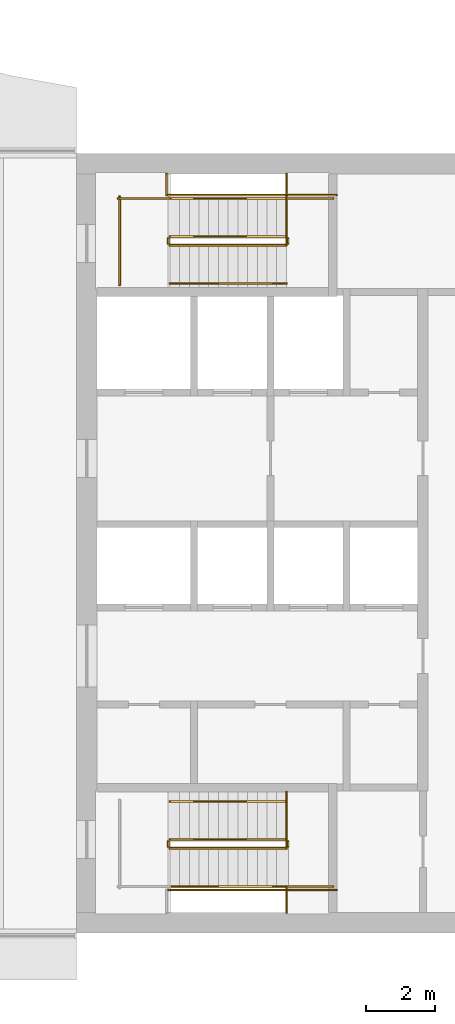
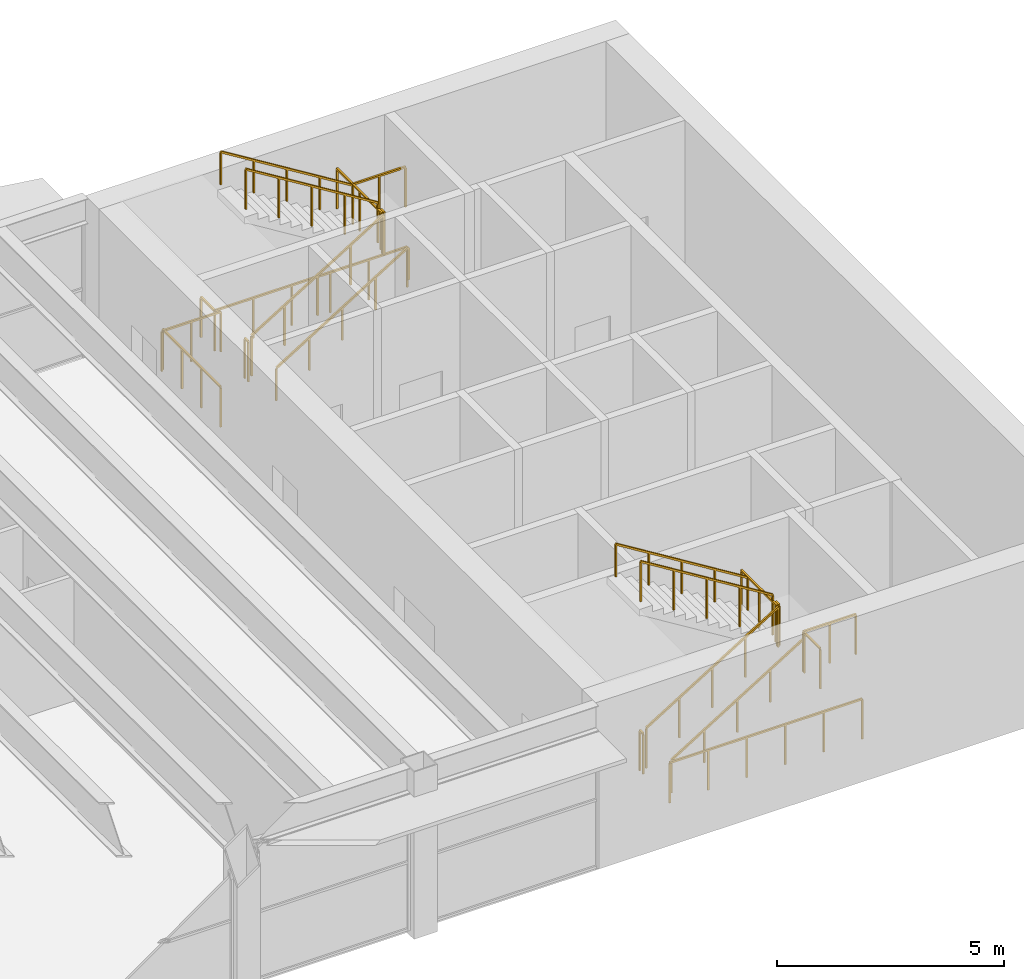
# One storey, part 15 of 15: 22 railings.
"""IFC4 building model written with IfcOpenShell, lengths in metres."""

import ifcopenshell
import ifcopenshell.guid

model = None  # the IFC model being written
_history = None  # IfcOwnerHistory: only IFC2X3 demands one
_inside = {}  # id of a spatial element -> (the spatial element, [elements in it])
_under = {}  # id of a project, library or spatial element -> (it, [spatial elements below it])
_declared = {}  # id of a project -> (the project, [libraries it declares])
_typed = {}  # id of a type object -> (the type object, [elements of that type])
_made_of = {}  # id of a material, layer set ... -> (it, [elements and type objects made of it])


def new_model(schema):
    """Start an empty IFC model of exactly this schema.

    Asked for "IFC4X3", IfcOpenShell would pick the latest addendum, in which some entities
    have other attributes; the version numbers below select the first issue.
    IFC2X3 requires an IfcOwnerHistory on every rooted entity: one is made here for all.
    """
    global model, _history
    if schema == "IFC4X3":
        model = ifcopenshell.file(schema_version=(4, 3, 0, 0))
    else:
        model = ifcopenshell.file(schema=schema)
    _inside.clear()
    _under.clear()
    _declared.clear()
    _typed.clear()
    _made_of.clear()
    _history = None
    if model.schema == "IFC2X3":
        org = make("IfcOrganization", Name="unknown")
        user = make(
            "IfcPersonAndOrganization",
            ThePerson=make("IfcPerson", FamilyName="unknown"),
            TheOrganization=org,
        )
        app = make(
            "IfcApplication",
            ApplicationDeveloper=org,
            Version="unknown",
            ApplicationFullName="unknown",
            ApplicationIdentifier="unknown",
        )
        _history = make(
            "IfcOwnerHistory",
            OwningUser=user,
            OwningApplication=app,
            ChangeAction="ADDED",
            CreationDate=0,
        )
    return model


def make(cls, **values):
    """One entity of the class cls with the attributes given. An attribute that is None is left unset."""
    return model.create_entity(
        cls, **{name: value for name, value in values.items() if value is not None}
    )


def rooted(cls, **values):
    """An entity with a GlobalId (a new one), such as an element, a storey or a relation."""
    return make(cls, GlobalId=ifcopenshell.guid.new(), OwnerHistory=_history, **values)


def si_unit(unit_type, name, prefix=None):
    """IfcSIUnit, for example si_unit("LENGTHUNIT", "METRE", prefix="MILLI")."""
    return make("IfcSIUnit", UnitType=unit_type, Prefix=prefix, Name=name)


def assignment(units):
    """IfcUnitAssignment: the units of a project."""
    return None if units is None else make("IfcUnitAssignment", Units=units)


def point(xyz):
    """IfcCartesianPoint."""
    return None if xyz is None else make("IfcCartesianPoint", Coordinates=xyz)


def direction(xyz):
    """IfcDirection."""
    return None if xyz is None else make("IfcDirection", DirectionRatios=xyz)


def frame(location, z_axis=None, x_axis=None):
    """IfcAxis2Placement3D, a coordinate frame: its origin and axes. An axis left out is left unset."""
    return make(
        "IfcAxis2Placement3D",
        Location=point(location),
        Axis=direction(z_axis),
        RefDirection=direction(x_axis),
    )


def frame_2d(location, x_axis=None):
    """IfcAxis2Placement2D, a coordinate frame in the plane: its origin and x axis."""
    return make(
        "IfcAxis2Placement2D", Location=point(location), RefDirection=direction(x_axis)
    )


def origin():
    """The frame at (0, 0, 0) with its axes left unset."""
    return frame((0.0, 0.0, 0.0))


def origin_2d():
    """The frame at (0, 0) in the plane with its x axis left unset."""
    return frame_2d((0.0, 0.0))


def place(relative_to, where):
    """IfcLocalPlacement: puts the frame where relative to a parent placement (None: the world)."""
    return make(
        "IfcLocalPlacement", PlacementRelTo=relative_to, RelativePlacement=where
    )


def context(
    kind, dimensions, precision=None, world=None, true_north=None, identifier=None
):
    """IfcGeometricRepresentationContext, for example the 3D "Model" context."""
    return make(
        "IfcGeometricRepresentationContext",
        ContextIdentifier=identifier,
        ContextType=kind,
        CoordinateSpaceDimension=dimensions,
        Precision=precision,
        WorldCoordinateSystem=world,
        TrueNorth=true_north,
    )


def subcontext(parent, identifier, kind, view, scale=None):
    """IfcGeometricRepresentationSubContext, for example "Body" below "Model"."""
    return make(
        "IfcGeometricRepresentationSubContext",
        ContextIdentifier=identifier,
        ContextType=kind,
        ParentContext=parent,
        TargetScale=scale,
        TargetView=view,
    )


def project(units=None, contexts=None):
    """IfcProject with its units and contexts."""
    return rooted(
        "IfcProject",
        Name="project",
        RepresentationContexts=contexts,
        UnitsInContext=assignment(units),
    )


def spatial(cls, under=None, at=None, **own):
    """A site, building, storey or space (cls), placed at a placement, below another one or the project."""
    s = rooted(cls, ObjectPlacement=at, **own)
    if under is not None:
        _under.setdefault(under.id(), (under, []))[1].append(s)
    return s


def profile(cls, at=None, kind="AREA", **sizes):
    """A parametric profile (cls). Its sizes go by their IFC names, for example OverallWidth=200.0."""
    return make(cls, ProfileType=kind, Position=at, **sizes)


def rectangle(**sizes):
    """IfcRectangleProfileDef."""
    return profile("IfcRectangleProfileDef", **sizes)


def extrude(swept, where, along, depth):
    """IfcExtrudedAreaSolid: the profile swept, set in the frame where, extruded along a direction by depth."""
    return make(
        "IfcExtrudedAreaSolid",
        SweptArea=swept,
        Position=where,
        ExtrudedDirection=direction(along),
        Depth=depth,
    )


def shape(context_of_items, identifier, shape_type, items):
    """IfcShapeRepresentation: the items that make up one representation, for example the "Body"."""
    return make(
        "IfcShapeRepresentation",
        ContextOfItems=context_of_items,
        RepresentationIdentifier=identifier,
        RepresentationType=shape_type,
        Items=items,
    )


def material(Name=None, Category=None):
    """IfcMaterial."""
    return make("IfcMaterial", Name=Name, Category=Category)


def made_of(thing, what):
    """Note that an element or type object is made of a material, layer set ...; save() writes the relation."""
    if what is not None:
        _made_of.setdefault(what.id(), (what, []))[1].append(thing)
    return thing


def type_object(cls, material=None, **own):
    """A type object (cls), such as IfcWallType, which elements share."""
    return made_of(rooted(cls, **own), material)


def element(
    cls,
    number,
    at=None,
    inside=None,
    cuts=None,
    type_object=None,
    material=None,
    context=None,
    identifier="Body",
    shape_type=None,
    held_by="IfcProductDefinitionShape",
    body=None,
    shapes=None,
    **own,
):
    """One element of the class cls, such as IfcWall. Its Tag is "e" and its number.

    at: its placement. inside: the storey or other place that contains it. cuts: it is an
    opening in that element (IfcRelVoidsElement). A single representation is given by context,
    identifier, shape_type and body (its items); several are given by shapes. held_by: the class
    of the entity that holds the representations. save() writes the other relations.
    """
    e = rooted(cls, Tag="e%d" % number, ObjectPlacement=at, **own)
    if body is not None:
        shapes = [shape(context, identifier, shape_type, body)]
    if shapes is not None:
        e.Representation = make(held_by, Representations=shapes)
    if inside is not None:
        _inside.setdefault(inside.id(), (inside, []))[1].append(e)
    if cuts is not None:
        rooted(
            "IfcRelVoidsElement", RelatingBuildingElement=cuts, RelatedOpeningElement=e
        )
    if type_object is not None:
        _typed.setdefault(type_object.id(), (type_object, []))[1].append(e)
    return made_of(e, material)


def aggregate(whole, parts):
    """IfcRelAggregates: a whole, such as a stair, and the parts it consists of."""
    return rooted("IfcRelAggregates", RelatingObject=whole, RelatedObjects=parts)


def save(model, path):
    """Write the relations noted so far, then the file.

    IfcRelAggregates (storeys below a building ...), IfcRelContainedInSpatialStructure (elements
    in a storey), IfcRelDefinesByType, IfcRelAssociatesMaterial and IfcRelDeclares: one each for
    every whole, place, type object, material and project.
    """
    for whole, parts in _under.values():
        aggregate(whole, parts)
    for where, things in _inside.values():
        rooted(
            "IfcRelContainedInSpatialStructure",
            RelatedElements=things,
            RelatingStructure=where,
        )
    for kind, things in _typed.values():
        rooted("IfcRelDefinesByType", RelatedObjects=things, RelatingType=kind)
    for what, things in _made_of.values():
        rooted("IfcRelAssociatesMaterial", RelatedObjects=things, RelatingMaterial=what)
    for by, libraries in _declared.values():
        rooted("IfcRelDeclares", RelatingContext=by, RelatedDefinitions=libraries)
    model.write(path)


model = new_model("IFC4")

# Units and contexts
model_context = context("Model", 3, precision=1e-05, world=origin(), true_north=direction((0.0, 1.0)))
body_context = subcontext(model_context, "Body", "Model", "MODEL_VIEW")
ifc_project = project(units=[si_unit("LENGTHUNIT", "METRE"), si_unit("AREAUNIT", "SQUARE_METRE"), si_unit("VOLUMEUNIT", "CUBIC_METRE"), si_unit("PLANEANGLEUNIT", "RADIAN"), si_unit("MASSUNIT", "GRAM", prefix="KILO")], contexts=[model_context])

# Site, building, storey
site_placement = place(None, origin())
site = spatial("IfcSite", under=ifc_project, at=site_placement, CompositionType="ELEMENT")
building_placement = place(site_placement, origin())
building = spatial("IfcBuilding", under=site, at=building_placement, Name="Sennacour Bend Tower", CompositionType="ELEMENT")
storey_placement = place(building_placement, frame((0.0, 0.0, 323.0)))
storey = spatial("IfcBuildingStorey", under=building, at=storey_placement, Name="L74", CompositionType="ELEMENT", Elevation=323.0)

# Railings
ifc_material = material(Name="Stainless steel", Category="steel")
railing_type_1 = type_object("IfcRailingType", Name="RL-GUARD-1100", PredefinedType="GUARDRAIL", material=ifc_material)
railing_1_placement = place(storey_placement, frame((56.699951171875, 2.449951171875, 0.173095703125)))
element("IfcRailing", 1, at=railing_1_placement, inside=storey, type_object=railing_type_1, Name="L74 SA1 stair guard 1", PredefinedType="GUARDRAIL", context=body_context, shape_type="SweptSolid", body=[
    extrude(rectangle(XDim=0.048095703125, YDim=0.048095703125, at=origin_2d()), frame((0.0, 0.0, 1.076171875), z_axis=(0.850623216509, 0.0, 0.525775754039), x_axis=(0.0, 1.0, 0.0)), (0.0, 0.0, 1.0), 3.9501953125),
    extrude(rectangle(XDim=0.0419921875, YDim=0.0419921875, at=origin_2d()), origin(), (0.0, 0.0, 1.0), 1.052001953125),
    extrude(rectangle(XDim=0.0419921875, YDim=0.0419921875, at=origin_2d()), frame((0.840087890625, 0.0, 0.519287109375)), (0.0, 0.0, 1.0), 1.052001953125),
    extrude(rectangle(XDim=0.0419921875, YDim=0.0419921875, at=origin_2d()), frame((1.68017578125, 0.0, 1.03857421875)), (0.0, 0.0, 1.0), 1.052001953125),
    extrude(rectangle(XDim=0.0419921875, YDim=0.0419921875, at=origin_2d()), frame((2.52001953125, 0.0, 1.5576171875)), (0.0, 0.0, 1.0), 1.052001953125),
    extrude(rectangle(XDim=0.0419921875, YDim=0.0419921875, at=origin_2d()), frame((3.360107421875, 0.0, 2.076904296875)), (0.0, 0.0, 1.0), 1.052001953125),
])
railing_2_placement = place(storey_placement, frame((60.110107421875, 2.5, 2.25)))
element("IfcRailing", 2, at=railing_2_placement, inside=storey, type_object=railing_type_1, Name="L74 SA1 stair guard 2", PredefinedType="GUARDRAIL", context=body_context, shape_type="SweptSolid", body=[
    extrude(rectangle(XDim=0.048095703125, YDim=0.048095703125, at=origin_2d()), frame((0.0, 0.0, 1.076171875), z_axis=(0.0, 1.0, 0.0), x_axis=(-1.0, 0.0, 0.0)), (0.0, 0.0, 1.0), 0.14990234375),
    extrude(rectangle(XDim=0.0419921875, YDim=0.0419921875, at=origin_2d()), origin(), (0.0, 0.0, 1.0), 1.052001953125),
    extrude(rectangle(XDim=0.0419921875, YDim=0.0419921875, at=origin_2d()), frame((0.0, 0.14990234375, 0.0)), (0.0, 0.0, 1.0), 1.052001953125),
])
railing_3_placement = place(storey_placement, frame((60.06005859375, 1.35009765625, 2.25)))
element("IfcRailing", 3, at=railing_3_placement, inside=storey, type_object=railing_type_1, Name="L74 SA1 stair guard 3", PredefinedType="GUARDRAIL", context=body_context, shape_type="SweptSolid", body=[
    extrude(rectangle(XDim=0.048095703125, YDim=0.048095703125, at=origin_2d()), frame((0.0, 0.0, 1.076171875), z_axis=(1.0, 0.0, 0.0), x_axis=(0.0, 1.0, 0.0)), (0.0, 0.0, 1.0), 1.33984375),
    extrude(rectangle(XDim=0.0419921875, YDim=0.0419921875, at=origin_2d()), origin(), (0.0, 0.0, 1.0), 1.052001953125),
    extrude(rectangle(XDim=0.0419921875, YDim=0.0419921875, at=origin_2d()), frame((0.669921875, 0.0, 0.0)), (0.0, 0.0, 1.0), 1.052001953125),
    extrude(rectangle(XDim=0.0419921875, YDim=0.0419921875, at=origin_2d()), frame((1.33984375, 0.0, 0.0)), (0.0, 0.0, 1.0), 1.052001953125),
])
railing_4_placement = place(storey_placement, frame((60.06005859375, 2.699951171875, 2.423095703125)))
element("IfcRailing", 4, at=railing_4_placement, inside=storey, type_object=railing_type_1, Name="L74 SA1 stair guard 4", PredefinedType="GUARDRAIL", context=body_context, shape_type="SweptSolid", body=[
    extrude(rectangle(XDim=0.048095703125, YDim=0.048095703125, at=origin_2d()), frame((0.0, 0.0, 1.076171875), z_axis=(-0.850623216509, 0.0, 0.525775754039), x_axis=(0.0, -1.0, 0.0)), (0.0, 0.0, 1.0), 3.9501953125),
    extrude(rectangle(XDim=0.0419921875, YDim=0.0419921875, at=origin_2d()), origin(), (0.0, 0.0, 1.0), 1.052001953125),
    extrude(rectangle(XDim=0.0419921875, YDim=0.0419921875, at=origin_2d()), frame((-0.840087890625, 0.0, 0.519287109375)), (0.0, 0.0, 1.0), 1.052001953125),
    extrude(rectangle(XDim=0.0419921875, YDim=0.0419921875, at=origin_2d()), frame((-1.68017578125, 0.0, 1.03857421875)), (0.0, 0.0, 1.0), 1.052001953125),
    extrude(rectangle(XDim=0.0419921875, YDim=0.0419921875, at=origin_2d()), frame((-2.52001953125, 0.0, 1.5576171875)), (0.0, 0.0, 1.0), 1.052001953125),
    extrude(rectangle(XDim=0.0419921875, YDim=0.0419921875, at=origin_2d()), frame((-3.360107421875, 0.0, 2.076904296875)), (0.0, 0.0, 1.0), 1.052001953125),
])
railing_5_placement = place(storey_placement, frame((56.64990234375, 2.5, 0.0)))
element("IfcRailing", 5, at=railing_5_placement, inside=storey, type_object=railing_type_1, Name="L74 SA1 stair guard 5", PredefinedType="GUARDRAIL", context=body_context, shape_type="SweptSolid", body=[
    extrude(rectangle(XDim=0.048095703125, YDim=0.048095703125, at=origin_2d()), frame((0.0, 0.0, 1.076171875), z_axis=(0.0, 1.0, 0.0), x_axis=(-1.0, 0.0, 0.0)), (0.0, 0.0, 1.0), 0.14990234375),
    extrude(rectangle(XDim=0.0419921875, YDim=0.0419921875, at=origin_2d()), origin(), (0.0, 0.0, 1.0), 1.052001953125),
    extrude(rectangle(XDim=0.0419921875, YDim=0.0419921875, at=origin_2d()), frame((0.0, 0.14990234375, 0.0)), (0.0, 0.0, 1.0), 1.052001953125),
])
railing_6_placement = place(storey_placement, frame((56.60009765625, 1.25, 0.0)))
element("IfcRailing", 6, at=railing_6_placement, inside=storey, type_object=railing_type_1, Name="L74 SA1 stair guard 8", PredefinedType="GUARDRAIL", context=body_context, shape_type="SweptSolid", body=[
    extrude(rectangle(XDim=0.048095703125, YDim=0.048095703125, at=origin_2d()), frame((0.0, 0.0, 1.076171875), z_axis=(1.0, 0.0, 0.0), x_axis=(0.0, 1.0, 0.0)), (0.0, 0.0, 1.0), 4.89990234375),
    extrude(rectangle(XDim=0.0419921875, YDim=0.0419921875, at=origin_2d()), origin(), (0.0, 0.0, 1.0), 1.052001953125),
    extrude(rectangle(XDim=0.0419921875, YDim=0.0419921875, at=origin_2d()), frame((0.97998046875, 0.0, 0.0)), (0.0, 0.0, 1.0), 1.052001953125),
    extrude(rectangle(XDim=0.0419921875, YDim=0.0419921875, at=origin_2d()), frame((1.9599609375, 0.0, 0.0)), (0.0, 0.0, 1.0), 1.052001953125),
    extrude(rectangle(XDim=0.0419921875, YDim=0.0419921875, at=origin_2d()), frame((2.93994140625, 0.0, 0.0)), (0.0, 0.0, 1.0), 1.052001953125),
    extrude(rectangle(XDim=0.0419921875, YDim=0.0419921875, at=origin_2d()), frame((3.919921875, 0.0, 0.0)), (0.0, 0.0, 1.0), 1.052001953125),
    extrude(rectangle(XDim=0.0419921875, YDim=0.0419921875, at=origin_2d()), frame((4.89990234375, 0.0, 0.0)), (0.0, 0.0, 1.0), 1.052001953125),
])
railing_7_placement = place(storey_placement, frame((60.06005859375, 0.60009765625, 2.25)))
element("IfcRailing", 7, at=railing_7_placement, inside=storey, type_object=railing_type_1, Name="L74 SA1 landing edge guard 121", PredefinedType="GUARDRAIL", context=body_context, shape_type="SweptSolid", body=[
    extrude(rectangle(XDim=0.048095703125, YDim=0.048095703125, at=origin_2d()), frame((0.0, 0.0, 1.076171875), z_axis=(0.0, 1.0, 0.0), x_axis=(-1.0, 0.0, 0.0)), (0.0, 0.0, 1.0), 0.699951171875),
    extrude(rectangle(XDim=0.0419921875, YDim=0.0419921875, at=origin_2d()), origin(), (0.0, 0.0, 1.0), 1.052001953125),
    extrude(rectangle(XDim=0.0419921875, YDim=0.0419921875, at=origin_2d()), frame((0.0, 0.699951171875, 0.0)), (0.0, 0.0, 1.0), 1.052001953125),
])
railing_8_placement = place(storey_placement, frame((60.06005859375, 2.5, 2.25)))
element("IfcRailing", 8, at=railing_8_placement, inside=storey, type_object=railing_type_1, Name="L74 SA1 landing edge guard 122", PredefinedType="GUARDRAIL", context=body_context, shape_type="SweptSolid", body=[
    extrude(rectangle(XDim=0.048095703125, YDim=0.048095703125, at=origin_2d()), frame((0.0, 0.0, 1.076171875), z_axis=(0.0, 1.0, 0.0), x_axis=(-1.0, 0.0, 0.0)), (0.0, 0.0, 1.0), 1.574951171875),
    extrude(rectangle(XDim=0.0419921875, YDim=0.0419921875, at=origin_2d()), origin(), (0.0, 0.0, 1.0), 1.052001953125),
    extrude(rectangle(XDim=0.0419921875, YDim=0.0419921875, at=origin_2d()), frame((0.0, 0.78759765625, 0.0)), (0.0, 0.0, 1.0), 1.052001953125),
    extrude(rectangle(XDim=0.0419921875, YDim=0.0419921875, at=origin_2d()), frame((0.0, 1.574951171875, 0.0)), (0.0, 0.0, 1.0), 1.052001953125),
])
railing_9_placement = place(storey_placement, frame((56.699951171875, 19.85009765625, 0.173095703125)))
element("IfcRailing", 9, at=railing_9_placement, inside=storey, type_object=railing_type_1, Name="L74 SA2 stair guard 1", PredefinedType="GUARDRAIL", context=body_context, shape_type="SweptSolid", body=[
    extrude(rectangle(XDim=0.048095703125, YDim=0.048095703125, at=origin_2d()), frame((0.0, 0.0, 1.076171875), z_axis=(0.850623216509, 0.0, 0.525775754039), x_axis=(0.0, 1.0, 0.0)), (0.0, 0.0, 1.0), 3.9501953125),
    extrude(rectangle(XDim=0.0419921875, YDim=0.0419921875, at=origin_2d()), origin(), (0.0, 0.0, 1.0), 1.052001953125),
    extrude(rectangle(XDim=0.0419921875, YDim=0.0419921875, at=origin_2d()), frame((0.840087890625, 0.0, 0.519287109375)), (0.0, 0.0, 1.0), 1.052001953125),
    extrude(rectangle(XDim=0.0419921875, YDim=0.0419921875, at=origin_2d()), frame((1.68017578125, 0.0, 1.03857421875)), (0.0, 0.0, 1.0), 1.052001953125),
    extrude(rectangle(XDim=0.0419921875, YDim=0.0419921875, at=origin_2d()), frame((2.52001953125, 0.0, 1.5576171875)), (0.0, 0.0, 1.0), 1.052001953125),
    extrude(rectangle(XDim=0.0419921875, YDim=0.0419921875, at=origin_2d()), frame((3.360107421875, 0.0, 2.076904296875)), (0.0, 0.0, 1.0), 1.052001953125),
])
railing_10_placement = place(storey_placement, frame((60.110107421875, 19.89990234375, 2.25)))
element("IfcRailing", 10, at=railing_10_placement, inside=storey, type_object=railing_type_1, Name="L74 SA2 stair guard 2", PredefinedType="GUARDRAIL", context=body_context, shape_type="SweptSolid", body=[
    extrude(rectangle(XDim=0.048095703125, YDim=0.048095703125, at=origin_2d()), frame((0.0, 0.0, 1.076171875), z_axis=(0.0, 1.0, 0.0), x_axis=(-1.0, 0.0, 0.0)), (0.0, 0.0, 1.0), 0.150146484375),
    extrude(rectangle(XDim=0.0419921875, YDim=0.0419921875, at=origin_2d()), origin(), (0.0, 0.0, 1.0), 1.052001953125),
    extrude(rectangle(XDim=0.0419921875, YDim=0.0419921875, at=origin_2d()), frame((0.0, 0.150146484375, 0.0)), (0.0, 0.0, 1.0), 1.052001953125),
])
railing_11_placement = place(storey_placement, frame((60.06005859375, 21.199951171875, 2.25)))
element("IfcRailing", 11, at=railing_11_placement, inside=storey, type_object=railing_type_1, Name="L74 SA2 stair guard 3", PredefinedType="GUARDRAIL", context=body_context, shape_type="SweptSolid", body=[
    extrude(rectangle(XDim=0.048095703125, YDim=0.048095703125, at=origin_2d()), frame((0.0, 0.0, 1.076171875), z_axis=(1.0, 0.0, 0.0), x_axis=(0.0, 1.0, 0.0)), (0.0, 0.0, 1.0), 1.33984375),
    extrude(rectangle(XDim=0.0419921875, YDim=0.0419921875, at=origin_2d()), origin(), (0.0, 0.0, 1.0), 1.052001953125),
    extrude(rectangle(XDim=0.0419921875, YDim=0.0419921875, at=origin_2d()), frame((0.669921875, 0.0, 0.0)), (0.0, 0.0, 1.0), 1.052001953125),
    extrude(rectangle(XDim=0.0419921875, YDim=0.0419921875, at=origin_2d()), frame((1.33984375, 0.0, 0.0)), (0.0, 0.0, 1.0), 1.052001953125),
])
railing_12_placement = place(storey_placement, frame((60.06005859375, 20.10009765625, 2.423095703125)))
element("IfcRailing", 12, at=railing_12_placement, inside=storey, type_object=railing_type_1, Name="L74 SA2 stair guard 4", PredefinedType="GUARDRAIL", context=body_context, shape_type="SweptSolid", body=[
    extrude(rectangle(XDim=0.048095703125, YDim=0.048095703125, at=origin_2d()), frame((0.0, 0.0, 1.076171875), z_axis=(-0.850623216509, 0.0, 0.525775754039), x_axis=(0.0, -1.0, 0.0)), (0.0, 0.0, 1.0), 3.9501953125),
    extrude(rectangle(XDim=0.0419921875, YDim=0.0419921875, at=origin_2d()), origin(), (0.0, 0.0, 1.0), 1.052001953125),
    extrude(rectangle(XDim=0.0419921875, YDim=0.0419921875, at=origin_2d()), frame((-0.840087890625, 0.0, 0.519287109375)), (0.0, 0.0, 1.0), 1.052001953125),
    extrude(rectangle(XDim=0.0419921875, YDim=0.0419921875, at=origin_2d()), frame((-1.68017578125, 0.0, 1.03857421875)), (0.0, 0.0, 1.0), 1.052001953125),
    extrude(rectangle(XDim=0.0419921875, YDim=0.0419921875, at=origin_2d()), frame((-2.52001953125, 0.0, 1.5576171875)), (0.0, 0.0, 1.0), 1.052001953125),
    extrude(rectangle(XDim=0.0419921875, YDim=0.0419921875, at=origin_2d()), frame((-3.360107421875, 0.0, 2.076904296875)), (0.0, 0.0, 1.0), 1.052001953125),
])
railing_13_placement = place(storey_placement, frame((56.64990234375, 19.89990234375, 0.0)))
element("IfcRailing", 13, at=railing_13_placement, inside=storey, type_object=railing_type_1, Name="L74 SA2 stair guard 5", PredefinedType="GUARDRAIL", context=body_context, shape_type="SweptSolid", body=[
    extrude(rectangle(XDim=0.048095703125, YDim=0.048095703125, at=origin_2d()), frame((0.0, 0.0, 1.076171875), z_axis=(0.0, 1.0, 0.0), x_axis=(-1.0, 0.0, 0.0)), (0.0, 0.0, 1.0), 0.150146484375),
    extrude(rectangle(XDim=0.0419921875, YDim=0.0419921875, at=origin_2d()), origin(), (0.0, 0.0, 1.0), 1.052001953125),
    extrude(rectangle(XDim=0.0419921875, YDim=0.0419921875, at=origin_2d()), frame((0.0, 0.150146484375, 0.0)), (0.0, 0.0, 1.0), 1.052001953125),
])
railing_14_placement = place(storey_placement, frame((55.199951171875, 21.199951171875, 0.0)))
element("IfcRailing", 14, at=railing_14_placement, inside=storey, type_object=railing_type_1, Name="L74 SA2 stair guard 6", PredefinedType="GUARDRAIL", context=body_context, shape_type="SweptSolid", body=[
    extrude(rectangle(XDim=0.048095703125, YDim=0.048095703125, at=origin_2d()), frame((0.0, 0.0, 1.076171875), z_axis=(1.0, 0.0, 0.0), x_axis=(0.0, 1.0, 0.0)), (0.0, 0.0, 1.0), 1.5),
    extrude(rectangle(XDim=0.0419921875, YDim=0.0419921875, at=origin_2d()), origin(), (0.0, 0.0, 1.0), 1.052001953125),
    extrude(rectangle(XDim=0.0419921875, YDim=0.0419921875, at=origin_2d()), frame((0.75, 0.0, 0.0)), (0.0, 0.0, 1.0), 1.052001953125),
    extrude(rectangle(XDim=0.0419921875, YDim=0.0419921875, at=origin_2d()), frame((1.5, 0.0, 0.0)), (0.0, 0.0, 1.0), 1.052001953125),
])
railing_15_placement = place(storey_placement, frame((55.25, 18.699951171875, 0.0)))
element("IfcRailing", 15, at=railing_15_placement, inside=storey, type_object=railing_type_1, Name="L74 SA2 stair guard 7", PredefinedType="GUARDRAIL", context=body_context, shape_type="SweptSolid", body=[
    extrude(rectangle(XDim=0.048095703125, YDim=0.048095703125, at=origin_2d()), frame((0.0, 0.0, 1.076171875), z_axis=(0.0, 1.0, 0.0), x_axis=(-1.0, 0.0, 0.0)), (0.0, 0.0, 1.0), 2.550048828125),
    extrude(rectangle(XDim=0.0419921875, YDim=0.0419921875, at=origin_2d()), origin(), (0.0, 0.0, 1.0), 1.052001953125),
    extrude(rectangle(XDim=0.0419921875, YDim=0.0419921875, at=origin_2d()), frame((0.0, 0.85009765625, 0.0)), (0.0, 0.0, 1.0), 1.052001953125),
    extrude(rectangle(XDim=0.0419921875, YDim=0.0419921875, at=origin_2d()), frame((0.0, 1.699951171875, 0.0)), (0.0, 0.0, 1.0), 1.052001953125),
    extrude(rectangle(XDim=0.0419921875, YDim=0.0419921875, at=origin_2d()), frame((0.0, 2.550048828125, 0.0)), (0.0, 0.0, 1.0), 1.052001953125),
])
railing_16_placement = place(storey_placement, frame((56.60009765625, 21.300048828125, 0.0)))
element("IfcRailing", 16, at=railing_16_placement, inside=storey, type_object=railing_type_1, Name="L74 SA2 stair guard 8", PredefinedType="GUARDRAIL", context=body_context, shape_type="SweptSolid", body=[
    extrude(rectangle(XDim=0.048095703125, YDim=0.048095703125, at=origin_2d()), frame((0.0, 0.0, 1.076171875), z_axis=(1.0, 0.0, 0.0), x_axis=(0.0, 1.0, 0.0)), (0.0, 0.0, 1.0), 4.89990234375),
    extrude(rectangle(XDim=0.0419921875, YDim=0.0419921875, at=origin_2d()), origin(), (0.0, 0.0, 1.0), 1.052001953125),
    extrude(rectangle(XDim=0.0419921875, YDim=0.0419921875, at=origin_2d()), frame((0.97998046875, 0.0, 0.0)), (0.0, 0.0, 1.0), 1.052001953125),
    extrude(rectangle(XDim=0.0419921875, YDim=0.0419921875, at=origin_2d()), frame((1.9599609375, 0.0, 0.0)), (0.0, 0.0, 1.0), 1.052001953125),
    extrude(rectangle(XDim=0.0419921875, YDim=0.0419921875, at=origin_2d()), frame((2.93994140625, 0.0, 0.0)), (0.0, 0.0, 1.0), 1.052001953125),
    extrude(rectangle(XDim=0.0419921875, YDim=0.0419921875, at=origin_2d()), frame((3.919921875, 0.0, 0.0)), (0.0, 0.0, 1.0), 1.052001953125),
    extrude(rectangle(XDim=0.0419921875, YDim=0.0419921875, at=origin_2d()), frame((4.89990234375, 0.0, 0.0)), (0.0, 0.0, 1.0), 1.052001953125),
])
railing_17_placement = place(storey_placement, frame((60.06005859375, 19.89990234375, 2.25)))
element("IfcRailing", 17, at=railing_17_placement, inside=storey, type_object=railing_type_1, Name="L74 SA2 landing edge guard 97", PredefinedType="GUARDRAIL", context=body_context, shape_type="SweptSolid", body=[
    extrude(rectangle(XDim=0.048095703125, YDim=0.048095703125, at=origin_2d()), frame((0.0, 0.0, 1.076171875), z_axis=(0.0, 1.0, 0.0), x_axis=(-1.0, 0.0, 0.0)), (0.0, 0.0, 1.0), 2.0),
    extrude(rectangle(XDim=0.0419921875, YDim=0.0419921875, at=origin_2d()), origin(), (0.0, 0.0, 1.0), 1.052001953125),
    extrude(rectangle(XDim=0.0419921875, YDim=0.0419921875, at=origin_2d()), frame((0.0, 1.0, 0.0)), (0.0, 0.0, 1.0), 1.052001953125),
    extrude(rectangle(XDim=0.0419921875, YDim=0.0419921875, at=origin_2d()), frame((0.0, 2.0, 0.0)), (0.0, 0.0, 1.0), 1.052001953125),
])
railing_18_placement = place(storey_placement, frame((56.60009765625, 21.300048828125, 0.0)))
element("IfcRailing", 18, at=railing_18_placement, inside=storey, type_object=railing_type_1, Name="L74 SA2 landing edge guard 128", PredefinedType="GUARDRAIL", context=body_context, shape_type="SweptSolid", body=[
    extrude(rectangle(XDim=0.048095703125, YDim=0.048095703125, at=origin_2d()), frame((0.0, 0.0, 1.076171875), z_axis=(0.0, 1.0, 0.0), x_axis=(-1.0, 0.0, 0.0)), (0.0, 0.0, 1.0), 0.599853515625),
    extrude(rectangle(XDim=0.0419921875, YDim=0.0419921875, at=origin_2d()), origin(), (0.0, 0.0, 1.0), 1.052001953125),
    extrude(rectangle(XDim=0.0419921875, YDim=0.0419921875, at=origin_2d()), frame((0.0, 0.599853515625, 0.0)), (0.0, 0.0, 1.0), 1.052001953125),
])
railing_type_2 = type_object("IfcRailingType", Name="RL-HANDRAIL-900", PredefinedType="HANDRAIL", material=ifc_material)
railing_19_placement = place(storey_placement, frame((56.699951171875, 1.35009765625, 0.173095703125)))
element("IfcRailing", 19, at=railing_19_placement, inside=storey, type_object=railing_type_2, Name="L74 SA1 stair handrail 1", PredefinedType="HANDRAIL", context=body_context, shape_type="SweptSolid", body=[
    extrude(rectangle(XDim=0.048095703125, YDim=0.048095703125, at=origin_2d()), frame((0.0, 0.0, 0.8759765625), z_axis=(0.850623216509, 0.0, 0.525775754039), x_axis=(0.0, 1.0, 0.0)), (0.0, 0.0, 1.0), 3.9501953125),
    extrude(rectangle(XDim=0.0419921875, YDim=0.0419921875, at=origin_2d()), origin(), (0.0, 0.0, 1.0), 0.851806640625),
    extrude(rectangle(XDim=0.0419921875, YDim=0.0419921875, at=origin_2d()), frame((0.840087890625, 0.0, 0.519287109375)), (0.0, 0.0, 1.0), 0.851806640625),
    extrude(rectangle(XDim=0.0419921875, YDim=0.0419921875, at=origin_2d()), frame((1.68017578125, 0.0, 1.03857421875)), (0.0, 0.0, 1.0), 0.851806640625),
    extrude(rectangle(XDim=0.0419921875, YDim=0.0419921875, at=origin_2d()), frame((2.52001953125, 0.0, 1.5576171875)), (0.0, 0.0, 1.0), 0.851806640625),
    extrude(rectangle(XDim=0.0419921875, YDim=0.0419921875, at=origin_2d()), frame((3.360107421875, 0.0, 2.076904296875)), (0.0, 0.0, 1.0), 0.851806640625),
])
railing_20_placement = place(storey_placement, frame((60.06005859375, 3.800048828125, 2.423095703125)))
element("IfcRailing", 20, at=railing_20_placement, inside=storey, type_object=railing_type_2, Name="L74 SA1 stair handrail 2", PredefinedType="HANDRAIL", context=body_context, shape_type="SweptSolid", body=[
    extrude(rectangle(XDim=0.048095703125, YDim=0.048095703125, at=origin_2d()), frame((0.0, 0.0, 0.8759765625), z_axis=(-0.850623216509, 0.0, 0.525775754039), x_axis=(0.0, -1.0, 0.0)), (0.0, 0.0, 1.0), 3.9501953125),
    extrude(rectangle(XDim=0.0419921875, YDim=0.0419921875, at=origin_2d()), origin(), (0.0, 0.0, 1.0), 0.851806640625),
    extrude(rectangle(XDim=0.0419921875, YDim=0.0419921875, at=origin_2d()), frame((-0.840087890625, 0.0, 0.519287109375)), (0.0, 0.0, 1.0), 0.851806640625),
    extrude(rectangle(XDim=0.0419921875, YDim=0.0419921875, at=origin_2d()), frame((-1.68017578125, 0.0, 1.03857421875)), (0.0, 0.0, 1.0), 0.851806640625),
    extrude(rectangle(XDim=0.0419921875, YDim=0.0419921875, at=origin_2d()), frame((-2.52001953125, 0.0, 1.5576171875)), (0.0, 0.0, 1.0), 0.851806640625),
    extrude(rectangle(XDim=0.0419921875, YDim=0.0419921875, at=origin_2d()), frame((-3.360107421875, 0.0, 2.076904296875)), (0.0, 0.0, 1.0), 0.851806640625),
])
railing_21_placement = place(storey_placement, frame((56.699951171875, 18.75, 0.173095703125)))
element("IfcRailing", 21, at=railing_21_placement, inside=storey, type_object=railing_type_2, Name="L74 SA2 stair handrail 1", PredefinedType="HANDRAIL", context=body_context, shape_type="SweptSolid", body=[
    extrude(rectangle(XDim=0.048095703125, YDim=0.048095703125, at=origin_2d()), frame((0.0, 0.0, 0.8759765625), z_axis=(0.850623216509, 0.0, 0.525775754039), x_axis=(0.0, 1.0, 0.0)), (0.0, 0.0, 1.0), 3.9501953125),
    extrude(rectangle(XDim=0.0419921875, YDim=0.0419921875, at=origin_2d()), origin(), (0.0, 0.0, 1.0), 0.851806640625),
    extrude(rectangle(XDim=0.0419921875, YDim=0.0419921875, at=origin_2d()), frame((0.840087890625, 0.0, 0.519287109375)), (0.0, 0.0, 1.0), 0.851806640625),
    extrude(rectangle(XDim=0.0419921875, YDim=0.0419921875, at=origin_2d()), frame((1.68017578125, 0.0, 1.03857421875)), (0.0, 0.0, 1.0), 0.851806640625),
    extrude(rectangle(XDim=0.0419921875, YDim=0.0419921875, at=origin_2d()), frame((2.52001953125, 0.0, 1.5576171875)), (0.0, 0.0, 1.0), 0.851806640625),
    extrude(rectangle(XDim=0.0419921875, YDim=0.0419921875, at=origin_2d()), frame((3.360107421875, 0.0, 2.076904296875)), (0.0, 0.0, 1.0), 0.851806640625),
])
railing_22_placement = place(storey_placement, frame((60.06005859375, 21.199951171875, 2.423095703125)))
element("IfcRailing", 22, at=railing_22_placement, inside=storey, type_object=railing_type_2, Name="L74 SA2 stair handrail 2", PredefinedType="HANDRAIL", context=body_context, shape_type="SweptSolid", body=[
    extrude(rectangle(XDim=0.048095703125, YDim=0.048095703125, at=origin_2d()), frame((0.0, 0.0, 0.8759765625), z_axis=(-0.850623216509, 0.0, 0.525775754039), x_axis=(0.0, -1.0, 0.0)), (0.0, 0.0, 1.0), 3.9501953125),
    extrude(rectangle(XDim=0.0419921875, YDim=0.0419921875, at=origin_2d()), origin(), (0.0, 0.0, 1.0), 0.851806640625),
    extrude(rectangle(XDim=0.0419921875, YDim=0.0419921875, at=origin_2d()), frame((-0.840087890625, 0.0, 0.519287109375)), (0.0, 0.0, 1.0), 0.851806640625),
    extrude(rectangle(XDim=0.0419921875, YDim=0.0419921875, at=origin_2d()), frame((-1.68017578125, 0.0, 1.03857421875)), (0.0, 0.0, 1.0), 0.851806640625),
    extrude(rectangle(XDim=0.0419921875, YDim=0.0419921875, at=origin_2d()), frame((-2.52001953125, 0.0, 1.5576171875)), (0.0, 0.0, 1.0), 0.851806640625),
    extrude(rectangle(XDim=0.0419921875, YDim=0.0419921875, at=origin_2d()), frame((-3.360107421875, 0.0, 2.076904296875)), (0.0, 0.0, 1.0), 0.851806640625),
])

save(model, "model.ifc")
